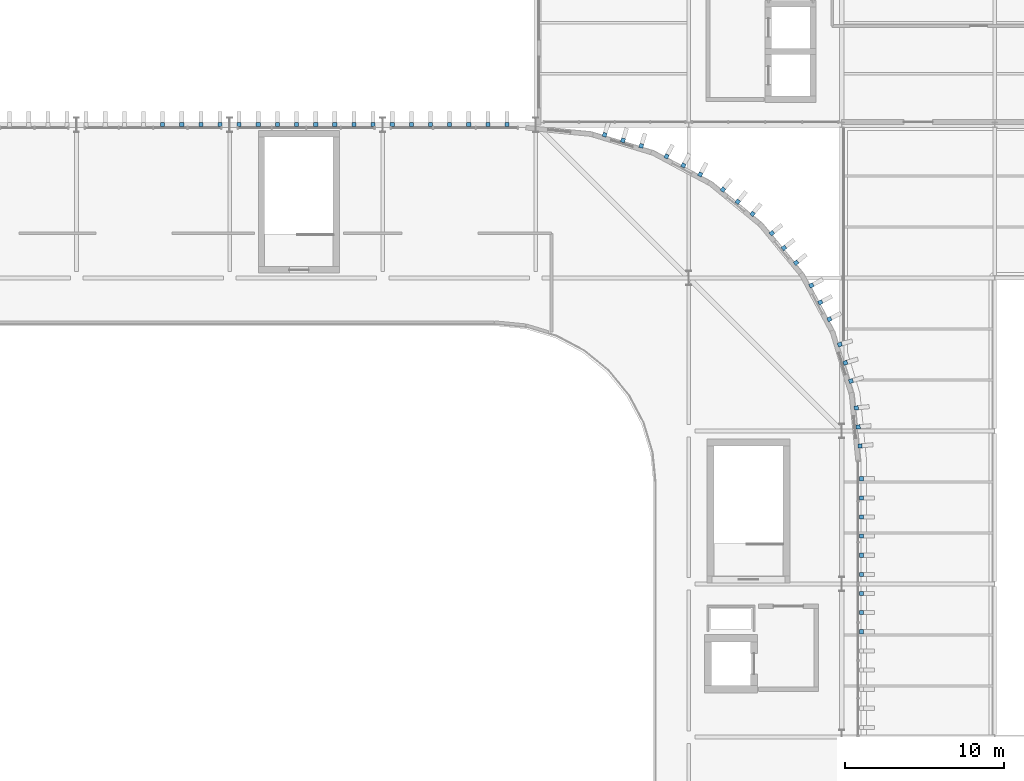
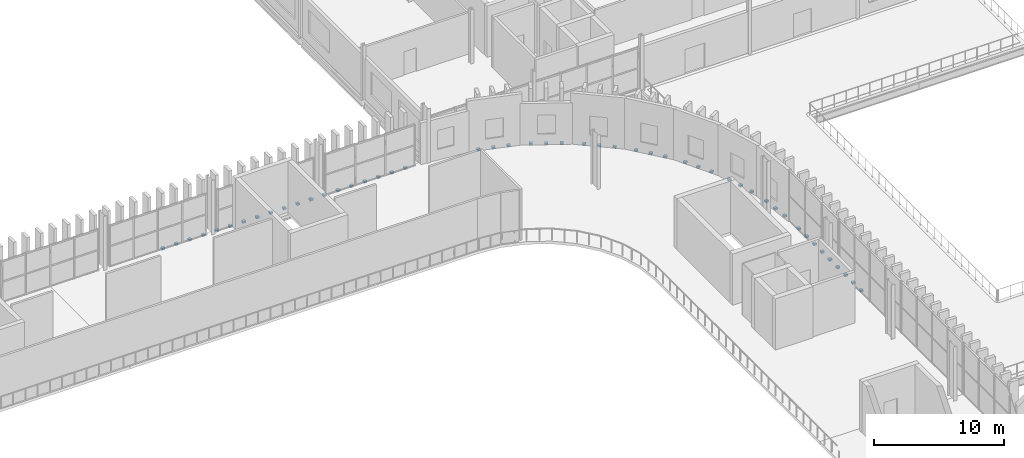
# One storey, part 41 of 45: 49 discrete accessories.
"""IFC4 building model written with IfcOpenShell, lengths in metres."""

from ifc_helpers import new_model, si_unit, direction, frame, origin, origin_2d, place, context, subcontext, project, spatial, rectangle, extrude, material, type_object, element, save


model = new_model("IFC4")

# Units and contexts
model_context = context("Model", 3, precision=1e-05, world=origin(), true_north=direction((0.0, 1.0)))
body_context = subcontext(model_context, "Body", "Model", "MODEL_VIEW")
ifc_project = project(units=[si_unit("LENGTHUNIT", "METRE"), si_unit("AREAUNIT", "SQUARE_METRE"), si_unit("VOLUMEUNIT", "CUBIC_METRE"), si_unit("PLANEANGLEUNIT", "RADIAN"), si_unit("MASSUNIT", "GRAM", prefix="KILO")], contexts=[model_context])

# Site, building, storey
site_placement = place(None, origin())
site = spatial("IfcSite", under=ifc_project, at=site_placement, CompositionType="ELEMENT")
building_placement = place(site_placement, origin())
building = spatial("IfcBuilding", under=site, at=building_placement, Name="Caelomonte Colonnade Arena", CompositionType="ELEMENT")
storey_placement = place(building_placement, frame((0.0, 0.0, 23.10009765625)))
storey = spatial("IfcBuildingStorey", under=building, at=storey_placement, Name="L05", CompositionType="ELEMENT", Elevation=23.10009765625)

# Discrete accessories
ifc_material = material(Name="Steel ASTM A572 Grade 50", Category="steel")
discrete_accessory_type = type_object("IfcDiscreteAccessoryType", Name="ENV-ACC-BRK", PredefinedType="BRACKET", material=ifc_material)
for number, where, z_axis, x_axis, name in (
    (1, (164.429931640625, 83.39990234375, -0.2099609375), (0.0, 0.0, 1.0), (0.0, 1.0, 0.0), "V1 L05 fin support bracket 60"),
    (2, (164.429931640625, 84.60009765625, -0.2099609375), (0.0, 0.0, 1.0), (0.0, 1.0, 0.0), "V1 L05 fin support bracket 61"),
    (3, (164.429931640625, 85.800048828125, -0.2099609375), (0.0, 0.0, 1.0), (0.0, 1.0, 0.0), "V1 L05 fin support bracket 62"),
    (4, (164.429931640625, 87.0, -0.2099609375), (0.0, 0.0, 1.0), (0.0, 1.0, 0.0), "V1 L05 fin support bracket 63"),
    (5, (164.429931640625, 88.199951171875, -0.2099609375), (0.0, 0.0, 1.0), (0.0, 1.0, 0.0), "V1 L05 fin support bracket 64"),
    (6, (164.429931640625, 89.39990234375, -0.2099609375), (0.0, 0.0, 1.0), (0.0, 1.0, 0.0), "V1 L05 fin support bracket 65"),
    (7, (164.429931640625, 90.60009765625, -0.2099609375), (0.0, 0.0, 1.0), (0.0, 1.0, 0.0), "V1 L05 fin support bracket 66"),
    (8, (164.429931640625, 91.800048828125, -0.2099609375), (0.0, 0.0, 1.0), (0.0, 1.0, 0.0), "V1 L05 fin support bracket 67"),
    (9, (164.429931640625, 93.0, -0.2099609375), (0.0, 0.0, 1.0), (0.0, 1.0, 0.0), "V1 L05 fin support bracket 68"),
    (10, (164.345703125, 95.05712890625, -0.2099609375), (0.0, 0.0, 1.0), (-0.098015403404, 0.995184897743, 0.0), "V1 L05 fin support bracket 69"),
    (11, (164.22802734375, 96.25146484375, -0.2099609375), (0.0, 0.0, 1.0), (-0.098015403404, 0.995184897743, 0.0), "V1 L05 fin support bracket 70"),
    (12, (164.110595703125, 97.445556640625, -0.2099609375), (0.0, 0.0, 1.0), (-0.098015403404, 0.995184897743, 0.0), "V1 L05 fin support bracket 71"),
    (13, (163.77587890625, 99.126953125, -0.2099609375), (0.0, 0.0, 1.0), (-0.290276326364, 0.956942868907, 0.0), "V1 L05 fin support bracket 72"),
    (14, (163.427734375, 100.275390625, -0.2099609375), (0.0, 0.0, 1.0), (-0.290276326364, 0.956942868907, 0.0), "V1 L05 fin support bracket 73"),
    (15, (163.079345703125, 101.423583984375, -0.2099609375), (0.0, 0.0, 1.0), (-0.290276326364, 0.956942868907, 0.0), "V1 L05 fin support bracket 74"),
    (16, (162.42333984375, 103.007568359375, -0.2099609375), (0.0, 0.0, 1.0), (-0.471396736826, 0.881921264348, 0.0), "V1 L05 fin support bracket 75"),
    (17, (161.857666015625, 104.06591796875, -0.2099609375), (0.0, 0.0, 1.0), (-0.471396736826, 0.881921264348, 0.0), "V1 L05 fin support bracket 76"),
    (18, (161.2919921875, 105.1240234375, -0.2099609375), (0.0, 0.0, 1.0), (-0.471396736826, 0.881921264348, 0.0), "V1 L05 fin support bracket 77"),
    (19, (160.339599609375, 106.549560546875, -0.2099609375), (0.0, 0.0, 1.0), (-0.634413521313, 0.77299384472, 0.0), "V1 L05 fin support bracket 78"),
    (20, (159.578125, 107.47705078125, -0.2099609375), (0.0, 0.0, 1.0), (-0.634413521313, 0.77299384472, 0.0), "V1 L05 fin support bracket 79"),
    (21, (158.81689453125, 108.40478515625, -0.2099609375), (0.0, 0.0, 1.0), (-0.634413521313, 0.77299384472, 0.0), "V1 L05 fin support bracket 80"),
    (22, (157.604736328125, 109.616943359375, -0.2099609375), (0.0, 0.0, 1.0), (-0.77299384472, 0.634413521313, 0.0), "V1 L05 fin support bracket 81"),
    (23, (156.677001953125, 110.378173828125, -0.2099609375), (0.0, 0.0, 1.0), (-0.77299384472, 0.634413521313, 0.0), "V1 L05 fin support bracket 82"),
    (24, (155.74951171875, 111.139404296875, -0.2099609375), (0.0, 0.0, 1.0), (-0.77299384472, 0.634413521313, 0.0), "V1 L05 fin support bracket 83"),
    (25, (154.32421875, 112.092041015625, -0.2099609375), (0.0, 0.0, 1.0), (-0.881921264348, 0.471396736826, 0.0), "V1 L05 fin support bracket 84"),
    (26, (153.265869140625, 112.65771484375, -0.2099609375), (0.0, 0.0, 1.0), (-0.881921264348, 0.471396736826, 0.0), "V1 L05 fin support bracket 85"),
    (27, (152.20751953125, 113.223388671875, -0.2099609375), (0.0, 0.0, 1.0), (-0.881921264348, 0.471396736826, 0.0), "V1 L05 fin support bracket 86"),
    (28, (150.623779296875, 113.87939453125, -0.2099609375), (0.0, 0.0, 1.0), (-0.956942868907, 0.290276326364, 0.0), "V1 L05 fin support bracket 87"),
    (29, (149.475341796875, 114.227783203125, -0.2099609375), (0.0, 0.0, 1.0), (-0.956942868907, 0.290276326364, 0.0), "V1 L05 fin support bracket 88"),
    (30, (148.326904296875, 114.575927734375, -0.2099609375), (0.0, 0.0, 1.0), (-0.956942868907, 0.290276326364, 0.0), "V1 L05 fin support bracket 89"),
    (31, (142.199951171875, 115.22998046875, -0.2099609375), (0.0, 0.0, 1.0), (-1.0, 0.0, 0.0), "V1 L05 fin support bracket 93"),
    (32, (141.0, 115.22998046875, -0.2099609375), (0.0, 0.0, 1.0), (-1.0, 0.0, 0.0), "V1 L05 fin support bracket 94"),
    (33, (139.800048828125, 115.22998046875, -0.2099609375), (0.0, 0.0, 1.0), (-1.0, 0.0, 0.0), "V1 L05 fin support bracket 95"),
    (34, (138.60009765625, 115.22998046875, -0.2099609375), (0.0, 0.0, 1.0), (-1.0, 0.0, 0.0), "V1 L05 fin support bracket 96"),
    (35, (137.39990234375, 115.22998046875, -0.2099609375), (0.0, 0.0, 1.0), (-1.0, 0.0, 0.0), "V1 L05 fin support bracket 97"),
    (36, (136.199951171875, 115.22998046875, -0.2099609375), (0.0, 0.0, 1.0), (-1.0, 0.0, 0.0), "V1 L05 fin support bracket 98"),
    (37, (135.0, 115.22998046875, -0.2099609375), (0.0, 0.0, 1.0), (-1.0, 0.0, 0.0), "V1 L05 fin support bracket 99"),
    (38, (133.800048828125, 115.22998046875, -0.2099609375), (0.0, 0.0, 1.0), (-1.0, 0.0, 0.0), "V1 L05 fin support bracket 100"),
    (39, (132.60009765625, 115.22998046875, -0.2099609375), (0.0, 0.0, 1.0), (-1.0, 0.0, 0.0), "V1 L05 fin support bracket 101"),
    (40, (131.39990234375, 115.22998046875, -0.2099609375), (0.0, 0.0, 1.0), (-1.0, 0.0, 0.0), "V1 L05 fin support bracket 102"),
    (41, (130.199951171875, 115.22998046875, -0.2099609375), (0.0, 0.0, 1.0), (-1.0, 0.0, 0.0), "V1 L05 fin support bracket 103"),
    (42, (129.0, 115.22998046875, -0.2099609375), (0.0, 0.0, 1.0), (-1.0, 0.0, 0.0), "V1 L05 fin support bracket 104"),
    (43, (127.800048828125, 115.22998046875, -0.2099609375), (0.0, 0.0, 1.0), (-1.0, 0.0, 0.0), "V1 L05 fin support bracket 105"),
    (44, (126.60009765625, 115.22998046875, -0.2099609375), (0.0, 0.0, 1.0), (-1.0, 0.0, 0.0), "V1 L05 fin support bracket 106"),
    (45, (125.39990234375, 115.22998046875, -0.2099609375), (0.0, 0.0, 1.0), (-1.0, 0.0, 0.0), "V1 L05 fin support bracket 107"),
    (46, (124.199951171875, 115.22998046875, -0.2099609375), (0.0, 0.0, 1.0), (-1.0, 0.0, 0.0), "V1 L05 fin support bracket 108"),
    (47, (123.0, 115.22998046875, -0.2099609375), (0.0, 0.0, 1.0), (-1.0, 0.0, 0.0), "V1 L05 fin support bracket 109"),
    (48, (121.800048828125, 115.22998046875, -0.2099609375), (0.0, 0.0, 1.0), (-1.0, 0.0, 0.0), "V1 L05 fin support bracket 110"),
    (49, (120.60009765625, 115.22998046875, -0.2099609375), (0.0, 0.0, 1.0), (-1.0, 0.0, 0.0), "V1 L05 fin support bracket 111"),
):
    element("IfcDiscreteAccessory", number, at=place(storey_placement, frame(where, z_axis=z_axis, x_axis=x_axis)), inside=storey, type_object=discrete_accessory_type, Name=name, PredefinedType="BRACKET", context=body_context, shape_type="SweptSolid", body=[
        extrude(rectangle(XDim=0.260009765625, YDim=0.260009765625, at=origin_2d()), origin(), (0.0, 0.0, 1.0), 0.179931640625),
    ])

save(model, "model.ifc")
